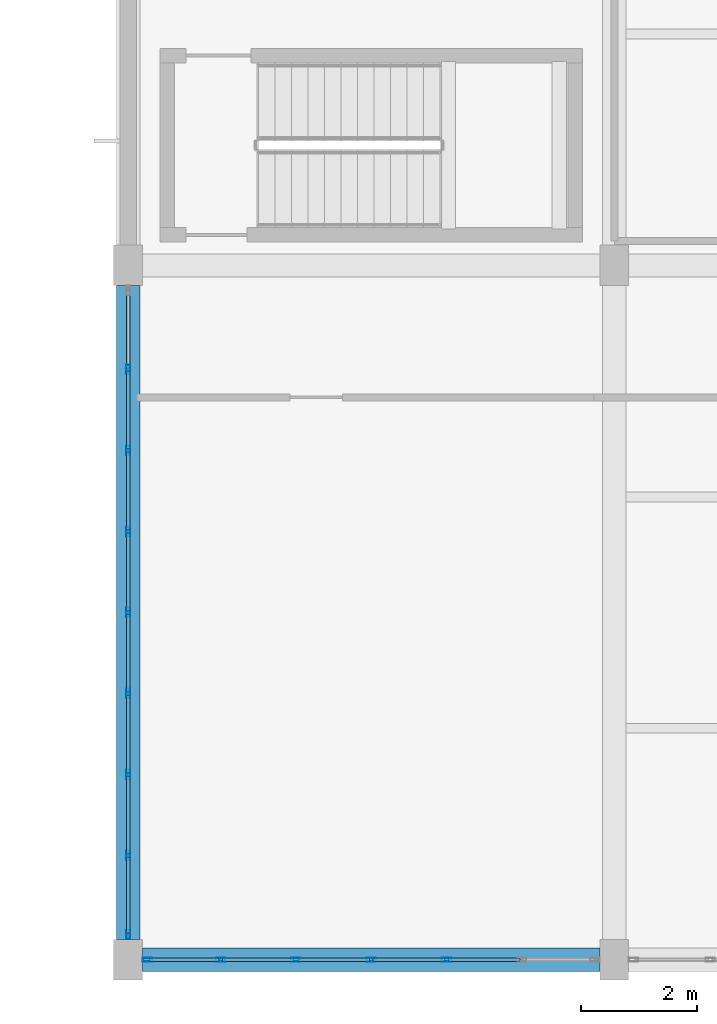
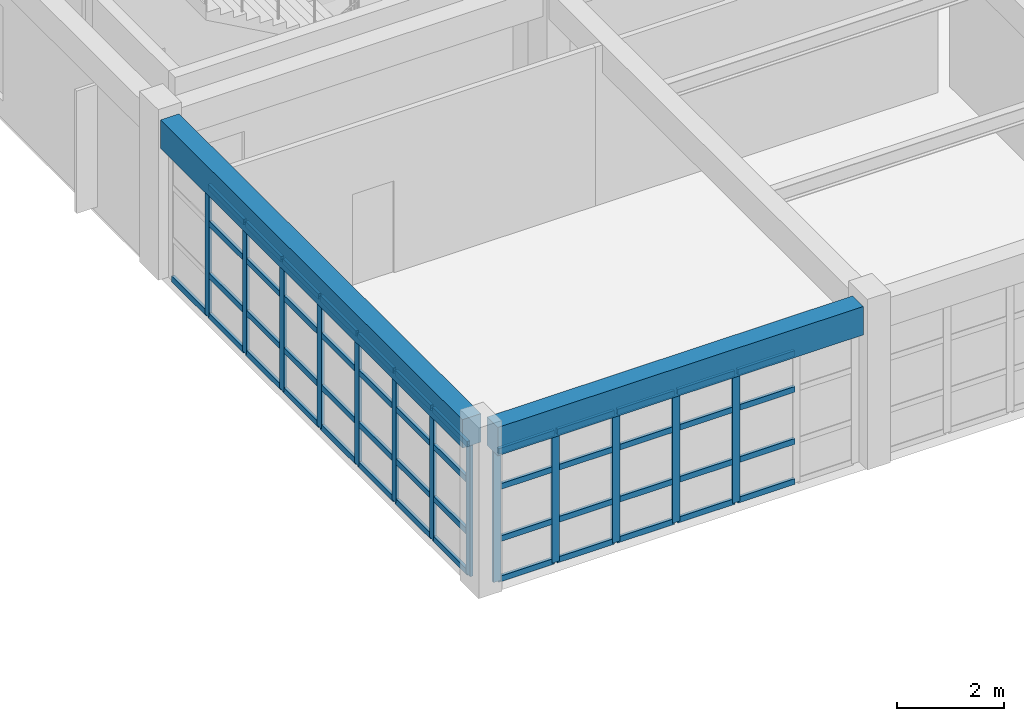
# One storey, part 7 of 150: 62 members, 2 beams, 2 elements without a shape of their own.
"""IFC4 building model written with IfcOpenShell, lengths in metres."""

from ifc_helpers import new_model, si_unit, direction, frame, origin, origin_2d, place, context, subcontext, project, spatial, rectangle, hollow_rectangle, extrude, material, material_profile, profile_set, type_object, element, aggregate, save


model = new_model("IFC4")

# Units and contexts
model_context = context("Model", 3, precision=1e-05, world=origin(), true_north=direction((0.0, 1.0)))
body_context = subcontext(model_context, "Body", "Model", "MODEL_VIEW")
ifc_project = project(units=[si_unit("LENGTHUNIT", "METRE"), si_unit("AREAUNIT", "SQUARE_METRE"), si_unit("VOLUMEUNIT", "CUBIC_METRE"), si_unit("PLANEANGLEUNIT", "RADIAN"), si_unit("MASSUNIT", "GRAM", prefix="KILO")], contexts=[model_context])

# Site, building, storey
site_placement = place(None, origin())
site = spatial("IfcSite", under=ifc_project, at=site_placement, CompositionType="ELEMENT")
building_placement = place(site_placement, origin())
building = spatial("IfcBuilding", under=site, at=building_placement, Name="Kestramere Prow Commons", CompositionType="ELEMENT")
storey_placement = place(building_placement, frame((0.0, 0.0, 4.5)))
storey = spatial("IfcBuildingStorey", under=building, at=storey_placement, Name="L01", CompositionType="ELEMENT", Elevation=4.5)

# Beams
ifc_material_1 = material(Name="Precast concrete C40/50", Category="concrete")
ifc_material_profile_1 = material_profile(ifc_material_1, rectangle(XDim=0.39990234375, YDim=0.64990234375, at=origin_2d()), Name="PC-BM 400x650")
ifc_profile_set_1 = profile_set([ifc_material_profile_1], Name="Precast concrete C40/50")
beam_type = type_object("IfcBeamType", Name="BM-MK-01 PC-BM 400x650 (EX)", PredefinedType="BEAM", material=ifc_profile_set_1)
beam_1_placement = place(storey_placement, frame((60.25, 0.0, 3.324951171875), z_axis=(1.0, 0.0, 0.0), x_axis=(0.0, 1.0, 0.0)))
element("IfcBeam", 1, at=beam_1_placement, inside=storey, type_object=beam_type, Name="Market Spine L01 Beam X 1-1", PredefinedType="BEAM", context=body_context, shape_type="SweptSolid", body=[
    extrude(rectangle(XDim=0.39990234375, YDim=0.64990234375, at=origin_2d()), origin(), (0.0, 0.0, 1.0), 7.89990234375),
])
beam_2_placement = place(storey_placement, frame((60.0, 0.35009765625, 3.324951171875), z_axis=(0.0, 1.0, 0.0), x_axis=(-1.0, 0.0, 0.0)))
element("IfcBeam", 2, at=beam_2_placement, inside=storey, type_object=beam_type, Name="Market Spine L01 Beam Y 1-1", PredefinedType="BEAM", context=body_context, shape_type="SweptSolid", body=[
    extrude(rectangle(XDim=0.39990234375, YDim=0.64990234375, at=origin_2d()), origin(), (0.0, 0.0, 1.0), 11.2998046875),
])

# Curtain wall, members
ifc_material_2 = material(Name="Anodised Aluminium and Low-E Glass", Category="aluminium")
curtain_wall_type_1 = type_object("IfcCurtainWallType", Name="CW-23 Glazed Curtain Wall 7800x2990", PredefinedType="USERDEFINED", material=ifc_material_2)
curtain_wall_1_placement = place(storey_placement, origin())
curtain_wall_1 = element("IfcCurtainWall", 3, at=curtain_wall_1_placement, inside=storey, type_object=curtain_wall_type_1, Name="Market L01 South Shopfront 1", ObjectType="GLAZED CURTAIN WALL", PredefinedType="USERDEFINED")
ifc_material_3 = material(Name="Anodised Aluminium 6063-T6", Category="aluminium")
ifc_material_profile_2 = material_profile(ifc_material_3, hollow_rectangle(XDim=0.06494140625, YDim=0.159912109375, WallThickness=0.00390625, at=origin_2d()), Name="ALU-MUL 65x160")
ifc_profile_set_2 = profile_set([ifc_material_profile_2], Name="Anodised Aluminium 6063-T6")
member_type_1 = type_object("IfcMemberType", Name="CW-MUL-65x160", PredefinedType="MULLION", material=ifc_profile_set_2)
member_1_placement = place(storey_placement, frame((65.5, 0.0, 0.0), z_axis=(0.0, 0.0, 1.0), x_axis=(0.0, -1.0, 0.0)))
member_1 = element("IfcMember", 4, at=member_1_placement, type_object=member_type_1, Name="CW-23 mullion 3", PredefinedType="MULLION", context=body_context, shape_type="SweptSolid", body=[
    extrude(hollow_rectangle(XDim=0.06494140625, YDim=0.159912109375, WallThickness=0.00390625, at=origin_2d()), origin(), (0.0, 0.0, 1.0), 2.989990234375),
])
member_2_placement = place(storey_placement, frame((64.199951171875, 0.0, 0.0), z_axis=(0.0, 0.0, 1.0), x_axis=(0.0, -1.0, 0.0)))
member_2 = element("IfcMember", 5, at=member_2_placement, type_object=member_type_1, Name="CW-23 mullion 4", PredefinedType="MULLION", context=body_context, shape_type="SweptSolid", body=[
    extrude(hollow_rectangle(XDim=0.06494140625, YDim=0.159912109375, WallThickness=0.00390625, at=origin_2d()), origin(), (0.0, 0.0, 1.0), 2.989990234375),
])
member_3_placement = place(storey_placement, frame((62.89990234375, 0.0, 0.0), z_axis=(0.0, 0.0, 1.0), x_axis=(0.0, -1.0, 0.0)))
member_3 = element("IfcMember", 6, at=member_3_placement, type_object=member_type_1, Name="CW-23 mullion 5", PredefinedType="MULLION", context=body_context, shape_type="SweptSolid", body=[
    extrude(hollow_rectangle(XDim=0.06494140625, YDim=0.159912109375, WallThickness=0.00390625, at=origin_2d()), origin(), (0.0, 0.0, 1.0), 2.989990234375),
])
member_4_placement = place(storey_placement, frame((61.60009765625, 0.0, 0.0), z_axis=(0.0, 0.0, 1.0), x_axis=(0.0, -1.0, 0.0)))
member_4 = element("IfcMember", 7, at=member_4_placement, type_object=member_type_1, Name="CW-23 mullion 6", PredefinedType="MULLION", context=body_context, shape_type="SweptSolid", body=[
    extrude(hollow_rectangle(XDim=0.06494140625, YDim=0.159912109375, WallThickness=0.00390625, at=origin_2d()), origin(), (0.0, 0.0, 1.0), 2.989990234375),
])
member_5_placement = place(storey_placement, frame((60.33251953125, 0.0, 0.0), z_axis=(0.0, 0.0, 1.0), x_axis=(0.0, -1.0, 0.0)))
member_5 = element("IfcMember", 8, at=member_5_placement, type_object=member_type_1, Name="CW-23 mullion 7", PredefinedType="MULLION", context=body_context, shape_type="SweptSolid", body=[
    extrude(hollow_rectangle(XDim=0.06494140625, YDim=0.159912109375, WallThickness=0.00390625, at=origin_2d()), origin(), (0.0, 0.0, 1.0), 2.989990234375),
])

curtain_wall_type_2 = type_object("IfcCurtainWallType", Name="CW-27 Glazed Curtain Wall 11200x2990", PredefinedType="USERDEFINED", material=ifc_material_2)
curtain_wall_2_placement = place(storey_placement, origin())
curtain_wall_2 = element("IfcCurtainWall", 9, at=curtain_wall_2_placement, inside=storey, type_object=curtain_wall_type_2, Name="Market L01 W Glazing", ObjectType="GLAZED CURTAIN WALL", PredefinedType="USERDEFINED")
member_6_placement = place(storey_placement, frame((60.0, 0.4326171875, 0.0), z_axis=(0.0, 0.0, 1.0), x_axis=(-1.0, 0.0, 0.0)))
member_6 = element("IfcMember", 10, at=member_6_placement, type_object=member_type_1, Name="CW-27 mullion 1", PredefinedType="MULLION", context=body_context, shape_type="SweptSolid", body=[
    extrude(hollow_rectangle(XDim=0.06494140625, YDim=0.159912109375, WallThickness=0.00390625, at=origin_2d()), origin(), (0.0, 0.0, 1.0), 2.989990234375),
])
member_7_placement = place(storey_placement, frame((60.0, 1.800048828125, 0.0), z_axis=(0.0, 0.0, 1.0), x_axis=(-1.0, 0.0, 0.0)))
member_7 = element("IfcMember", 11, at=member_7_placement, type_object=member_type_1, Name="CW-27 mullion 2", PredefinedType="MULLION", context=body_context, shape_type="SweptSolid", body=[
    extrude(hollow_rectangle(XDim=0.06494140625, YDim=0.159912109375, WallThickness=0.00390625, at=origin_2d()), origin(), (0.0, 0.0, 1.0), 2.989990234375),
])
member_8_placement = place(storey_placement, frame((60.0, 3.199951171875, 0.0), z_axis=(0.0, 0.0, 1.0), x_axis=(-1.0, 0.0, 0.0)))
member_8 = element("IfcMember", 12, at=member_8_placement, type_object=member_type_1, Name="CW-27 mullion 3", PredefinedType="MULLION", context=body_context, shape_type="SweptSolid", body=[
    extrude(hollow_rectangle(XDim=0.06494140625, YDim=0.159912109375, WallThickness=0.00390625, at=origin_2d()), origin(), (0.0, 0.0, 1.0), 2.989990234375),
])
member_9_placement = place(storey_placement, frame((60.0, 4.60009765625, 0.0), z_axis=(0.0, 0.0, 1.0), x_axis=(-1.0, 0.0, 0.0)))
member_9 = element("IfcMember", 13, at=member_9_placement, type_object=member_type_1, Name="CW-27 mullion 4", PredefinedType="MULLION", context=body_context, shape_type="SweptSolid", body=[
    extrude(hollow_rectangle(XDim=0.06494140625, YDim=0.159912109375, WallThickness=0.00390625, at=origin_2d()), origin(), (0.0, 0.0, 1.0), 2.989990234375),
])
member_10_placement = place(storey_placement, frame((60.0, 6.0, 0.0), z_axis=(0.0, 0.0, 1.0), x_axis=(-1.0, 0.0, 0.0)))
member_10 = element("IfcMember", 14, at=member_10_placement, type_object=member_type_1, Name="CW-27 mullion 5", PredefinedType="MULLION", context=body_context, shape_type="SweptSolid", body=[
    extrude(hollow_rectangle(XDim=0.06494140625, YDim=0.159912109375, WallThickness=0.00390625, at=origin_2d()), origin(), (0.0, 0.0, 1.0), 2.989990234375),
])
member_11_placement = place(storey_placement, frame((60.0, 7.39990234375, 0.0), z_axis=(0.0, 0.0, 1.0), x_axis=(-1.0, 0.0, 0.0)))
member_11 = element("IfcMember", 15, at=member_11_placement, type_object=member_type_1, Name="CW-27 mullion 6", PredefinedType="MULLION", context=body_context, shape_type="SweptSolid", body=[
    extrude(hollow_rectangle(XDim=0.06494140625, YDim=0.159912109375, WallThickness=0.00390625, at=origin_2d()), origin(), (0.0, 0.0, 1.0), 2.989990234375),
])
member_12_placement = place(storey_placement, frame((60.0, 8.800048828125, 0.0), z_axis=(0.0, 0.0, 1.0), x_axis=(-1.0, 0.0, 0.0)))
member_12 = element("IfcMember", 16, at=member_12_placement, type_object=member_type_1, Name="CW-27 mullion 7", PredefinedType="MULLION", context=body_context, shape_type="SweptSolid", body=[
    extrude(hollow_rectangle(XDim=0.06494140625, YDim=0.159912109375, WallThickness=0.00390625, at=origin_2d()), origin(), (0.0, 0.0, 1.0), 2.989990234375),
])
member_13_placement = place(storey_placement, frame((60.0, 10.199951171875, 0.0), z_axis=(0.0, 0.0, 1.0), x_axis=(-1.0, 0.0, 0.0)))
member_13 = element("IfcMember", 17, at=member_13_placement, type_object=member_type_1, Name="CW-27 mullion 8", PredefinedType="MULLION", context=body_context, shape_type="SweptSolid", body=[
    extrude(hollow_rectangle(XDim=0.06494140625, YDim=0.159912109375, WallThickness=0.00390625, at=origin_2d()), origin(), (0.0, 0.0, 1.0), 2.989990234375),
])

# Member
ifc_material_profile_3 = material_profile(ifc_material_3, hollow_rectangle(XDim=0.06494140625, YDim=0.1298828125, WallThickness=0.00390625, at=origin_2d()), Name="ALU-TRN 65x130")
ifc_profile_set_3 = profile_set([ifc_material_profile_3], Name="Anodised Aluminium 6063-T6")
member_type_2 = type_object("IfcMemberType", Name="CW-TRN-65x130", PredefinedType="USERDEFINED", material=ifc_profile_set_3)
member_14_placement = place(storey_placement, frame((66.767578125, 0.0, 0.032470703125), z_axis=(-1.0, 0.0, 0.0), x_axis=(0.0, -1.0, 0.0)))
member_14 = element("IfcMember", 18, at=member_14_placement, type_object=member_type_2, Name="CW-23 transom 2.1", ObjectType="TRANSOM", PredefinedType="USERDEFINED", context=body_context, shape_type="SweptSolid", body=[
    extrude(hollow_rectangle(XDim=0.06494140625, YDim=0.1298828125, WallThickness=0.00390625, at=origin_2d()), origin(), (0.0, 0.0, 1.0), 1.235107421875),
])

member_15_placement = place(storey_placement, frame((66.767578125, 0.0, 0.949951171875), z_axis=(-1.0, 0.0, 0.0), x_axis=(0.0, -1.0, 0.0)))
member_15 = element("IfcMember", 19, at=member_15_placement, type_object=member_type_2, Name="CW-23 transom 2.2", ObjectType="TRANSOM", PredefinedType="USERDEFINED", context=body_context, shape_type="SweptSolid", body=[
    extrude(hollow_rectangle(XDim=0.06494140625, YDim=0.1298828125, WallThickness=0.00390625, at=origin_2d()), origin(), (0.0, 0.0, 1.0), 1.235107421875),
])

member_16_placement = place(storey_placement, frame((66.767578125, 0.0, 2.139892578125), z_axis=(-1.0, 0.0, 0.0), x_axis=(0.0, -1.0, 0.0)))
member_16 = element("IfcMember", 20, at=member_16_placement, type_object=member_type_2, Name="CW-23 transom 2.3", ObjectType="TRANSOM", PredefinedType="USERDEFINED", context=body_context, shape_type="SweptSolid", body=[
    extrude(hollow_rectangle(XDim=0.06494140625, YDim=0.1298828125, WallThickness=0.00390625, at=origin_2d()), origin(), (0.0, 0.0, 1.0), 1.235107421875),
])

member_17_placement = place(storey_placement, frame((66.767578125, 0.0, 2.95751953125), z_axis=(-1.0, 0.0, 0.0), x_axis=(0.0, -1.0, 0.0)))
member_17 = element("IfcMember", 21, at=member_17_placement, type_object=member_type_2, Name="CW-23 transom 2.4", ObjectType="TRANSOM", PredefinedType="USERDEFINED", context=body_context, shape_type="SweptSolid", body=[
    extrude(hollow_rectangle(XDim=0.06494140625, YDim=0.1298828125, WallThickness=0.00390625, at=origin_2d()), origin(), (0.0, 0.0, 1.0), 1.235107421875),
])

member_18_placement = place(storey_placement, frame((65.467529296875, 0.0, 0.032470703125), z_axis=(-1.0, 0.0, 0.0), x_axis=(0.0, -1.0, 0.0)))
member_18 = element("IfcMember", 22, at=member_18_placement, type_object=member_type_2, Name="CW-23 transom 3.1", ObjectType="TRANSOM", PredefinedType="USERDEFINED", context=body_context, shape_type="SweptSolid", body=[
    extrude(hollow_rectangle(XDim=0.06494140625, YDim=0.1298828125, WallThickness=0.00390625, at=origin_2d()), origin(), (0.0, 0.0, 1.0), 1.235107421875),
])

member_19_placement = place(storey_placement, frame((65.467529296875, 0.0, 0.949951171875), z_axis=(-1.0, 0.0, 0.0), x_axis=(0.0, -1.0, 0.0)))
member_19 = element("IfcMember", 23, at=member_19_placement, type_object=member_type_2, Name="CW-23 transom 3.2", ObjectType="TRANSOM", PredefinedType="USERDEFINED", context=body_context, shape_type="SweptSolid", body=[
    extrude(hollow_rectangle(XDim=0.06494140625, YDim=0.1298828125, WallThickness=0.00390625, at=origin_2d()), origin(), (0.0, 0.0, 1.0), 1.235107421875),
])

member_20_placement = place(storey_placement, frame((65.467529296875, 0.0, 2.139892578125), z_axis=(-1.0, 0.0, 0.0), x_axis=(0.0, -1.0, 0.0)))
member_20 = element("IfcMember", 24, at=member_20_placement, type_object=member_type_2, Name="CW-23 transom 3.3", ObjectType="TRANSOM", PredefinedType="USERDEFINED", context=body_context, shape_type="SweptSolid", body=[
    extrude(hollow_rectangle(XDim=0.06494140625, YDim=0.1298828125, WallThickness=0.00390625, at=origin_2d()), origin(), (0.0, 0.0, 1.0), 1.235107421875),
])

member_21_placement = place(storey_placement, frame((65.467529296875, 0.0, 2.95751953125), z_axis=(-1.0, 0.0, 0.0), x_axis=(0.0, -1.0, 0.0)))
member_21 = element("IfcMember", 25, at=member_21_placement, type_object=member_type_2, Name="CW-23 transom 3.4", ObjectType="TRANSOM", PredefinedType="USERDEFINED", context=body_context, shape_type="SweptSolid", body=[
    extrude(hollow_rectangle(XDim=0.06494140625, YDim=0.1298828125, WallThickness=0.00390625, at=origin_2d()), origin(), (0.0, 0.0, 1.0), 1.235107421875),
])

member_22_placement = place(storey_placement, frame((64.16748046875, 0.0, 0.032470703125), z_axis=(-1.0, 0.0, 0.0), x_axis=(0.0, -1.0, 0.0)))
member_22 = element("IfcMember", 26, at=member_22_placement, type_object=member_type_2, Name="CW-23 transom 4.1", ObjectType="TRANSOM", PredefinedType="USERDEFINED", context=body_context, shape_type="SweptSolid", body=[
    extrude(hollow_rectangle(XDim=0.06494140625, YDim=0.1298828125, WallThickness=0.00390625, at=origin_2d()), origin(), (0.0, 0.0, 1.0), 1.23486328125),
])

member_23_placement = place(storey_placement, frame((64.16748046875, 0.0, 0.949951171875), z_axis=(-1.0, 0.0, 0.0), x_axis=(0.0, -1.0, 0.0)))
member_23 = element("IfcMember", 27, at=member_23_placement, type_object=member_type_2, Name="CW-23 transom 4.2", ObjectType="TRANSOM", PredefinedType="USERDEFINED", context=body_context, shape_type="SweptSolid", body=[
    extrude(hollow_rectangle(XDim=0.06494140625, YDim=0.1298828125, WallThickness=0.00390625, at=origin_2d()), origin(), (0.0, 0.0, 1.0), 1.23486328125),
])

member_24_placement = place(storey_placement, frame((64.16748046875, 0.0, 2.139892578125), z_axis=(-1.0, 0.0, 0.0), x_axis=(0.0, -1.0, 0.0)))
member_24 = element("IfcMember", 28, at=member_24_placement, type_object=member_type_2, Name="CW-23 transom 4.3", ObjectType="TRANSOM", PredefinedType="USERDEFINED", context=body_context, shape_type="SweptSolid", body=[
    extrude(hollow_rectangle(XDim=0.06494140625, YDim=0.1298828125, WallThickness=0.00390625, at=origin_2d()), origin(), (0.0, 0.0, 1.0), 1.23486328125),
])

member_25_placement = place(storey_placement, frame((64.16748046875, 0.0, 2.95751953125), z_axis=(-1.0, 0.0, 0.0), x_axis=(0.0, -1.0, 0.0)))
member_25 = element("IfcMember", 29, at=member_25_placement, type_object=member_type_2, Name="CW-23 transom 4.4", ObjectType="TRANSOM", PredefinedType="USERDEFINED", context=body_context, shape_type="SweptSolid", body=[
    extrude(hollow_rectangle(XDim=0.06494140625, YDim=0.1298828125, WallThickness=0.00390625, at=origin_2d()), origin(), (0.0, 0.0, 1.0), 1.23486328125),
])

member_26_placement = place(storey_placement, frame((62.867431640625, 0.0, 0.032470703125), z_axis=(-1.0, 0.0, 0.0), x_axis=(0.0, -1.0, 0.0)))
member_26 = element("IfcMember", 30, at=member_26_placement, type_object=member_type_2, Name="CW-23 transom 5.1", ObjectType="TRANSOM", PredefinedType="USERDEFINED", context=body_context, shape_type="SweptSolid", body=[
    extrude(hollow_rectangle(XDim=0.06494140625, YDim=0.1298828125, WallThickness=0.00390625, at=origin_2d()), origin(), (0.0, 0.0, 1.0), 1.23486328125),
])

member_27_placement = place(storey_placement, frame((62.867431640625, 0.0, 0.949951171875), z_axis=(-1.0, 0.0, 0.0), x_axis=(0.0, -1.0, 0.0)))
member_27 = element("IfcMember", 31, at=member_27_placement, type_object=member_type_2, Name="CW-23 transom 5.2", ObjectType="TRANSOM", PredefinedType="USERDEFINED", context=body_context, shape_type="SweptSolid", body=[
    extrude(hollow_rectangle(XDim=0.06494140625, YDim=0.1298828125, WallThickness=0.00390625, at=origin_2d()), origin(), (0.0, 0.0, 1.0), 1.23486328125),
])

member_28_placement = place(storey_placement, frame((62.867431640625, 0.0, 2.139892578125), z_axis=(-1.0, 0.0, 0.0), x_axis=(0.0, -1.0, 0.0)))
member_28 = element("IfcMember", 32, at=member_28_placement, type_object=member_type_2, Name="CW-23 transom 5.3", ObjectType="TRANSOM", PredefinedType="USERDEFINED", context=body_context, shape_type="SweptSolid", body=[
    extrude(hollow_rectangle(XDim=0.06494140625, YDim=0.1298828125, WallThickness=0.00390625, at=origin_2d()), origin(), (0.0, 0.0, 1.0), 1.23486328125),
])

member_29_placement = place(storey_placement, frame((62.867431640625, 0.0, 2.95751953125), z_axis=(-1.0, 0.0, 0.0), x_axis=(0.0, -1.0, 0.0)))
member_29 = element("IfcMember", 33, at=member_29_placement, type_object=member_type_2, Name="CW-23 transom 5.4", ObjectType="TRANSOM", PredefinedType="USERDEFINED", context=body_context, shape_type="SweptSolid", body=[
    extrude(hollow_rectangle(XDim=0.06494140625, YDim=0.1298828125, WallThickness=0.00390625, at=origin_2d()), origin(), (0.0, 0.0, 1.0), 1.23486328125),
])

member_30_placement = place(storey_placement, frame((61.5673828125, 0.0, 0.032470703125), z_axis=(-1.0, 0.0, 0.0), x_axis=(0.0, -1.0, 0.0)))
member_30 = element("IfcMember", 34, at=member_30_placement, type_object=member_type_2, Name="CW-23 transom 6.1", ObjectType="TRANSOM", PredefinedType="USERDEFINED", context=body_context, shape_type="SweptSolid", body=[
    extrude(hollow_rectangle(XDim=0.06494140625, YDim=0.1298828125, WallThickness=0.00390625, at=origin_2d()), origin(), (0.0, 0.0, 1.0), 1.202392578125),
])

member_31_placement = place(storey_placement, frame((61.5673828125, 0.0, 0.949951171875), z_axis=(-1.0, 0.0, 0.0), x_axis=(0.0, -1.0, 0.0)))
member_31 = element("IfcMember", 35, at=member_31_placement, type_object=member_type_2, Name="CW-23 transom 6.2", ObjectType="TRANSOM", PredefinedType="USERDEFINED", context=body_context, shape_type="SweptSolid", body=[
    extrude(hollow_rectangle(XDim=0.06494140625, YDim=0.1298828125, WallThickness=0.00390625, at=origin_2d()), origin(), (0.0, 0.0, 1.0), 1.202392578125),
])

member_32_placement = place(storey_placement, frame((61.5673828125, 0.0, 2.139892578125), z_axis=(-1.0, 0.0, 0.0), x_axis=(0.0, -1.0, 0.0)))
member_32 = element("IfcMember", 36, at=member_32_placement, type_object=member_type_2, Name="CW-23 transom 6.3", ObjectType="TRANSOM", PredefinedType="USERDEFINED", context=body_context, shape_type="SweptSolid", body=[
    extrude(hollow_rectangle(XDim=0.06494140625, YDim=0.1298828125, WallThickness=0.00390625, at=origin_2d()), origin(), (0.0, 0.0, 1.0), 1.202392578125),
])

member_33_placement = place(storey_placement, frame((61.5673828125, 0.0, 2.95751953125), z_axis=(-1.0, 0.0, 0.0), x_axis=(0.0, -1.0, 0.0)))
member_33 = element("IfcMember", 37, at=member_33_placement, type_object=member_type_2, Name="CW-23 transom 6.4", ObjectType="TRANSOM", PredefinedType="USERDEFINED", context=body_context, shape_type="SweptSolid", body=[
    extrude(hollow_rectangle(XDim=0.06494140625, YDim=0.1298828125, WallThickness=0.00390625, at=origin_2d()), origin(), (0.0, 0.0, 1.0), 1.202392578125),
])

aggregate(curtain_wall_1, [member_1, member_2, member_3, member_4, member_5, member_14, member_15, member_16, member_17, member_18, member_19, member_20, member_21, member_22, member_23, member_24, member_25, member_26, member_27, member_28, member_29, member_30, member_31, member_32, member_33])

member_34_placement = place(storey_placement, frame((60.0, 0.465087890625, 0.032470703125), z_axis=(0.0, 1.0, 0.0), x_axis=(-1.0, 0.0, 0.0)))
member_34 = element("IfcMember", 38, at=member_34_placement, type_object=member_type_2, Name="CW-27 transom 1.1", ObjectType="TRANSOM", PredefinedType="USERDEFINED", context=body_context, shape_type="SweptSolid", body=[
    extrude(hollow_rectangle(XDim=0.06494140625, YDim=0.1298828125, WallThickness=0.00390625, at=origin_2d()), origin(), (0.0, 0.0, 1.0), 1.302490234375),
])

member_35_placement = place(storey_placement, frame((60.0, 0.465087890625, 0.949951171875), z_axis=(0.0, 1.0, 0.0), x_axis=(-1.0, 0.0, 0.0)))
member_35 = element("IfcMember", 39, at=member_35_placement, type_object=member_type_2, Name="CW-27 transom 1.2", ObjectType="TRANSOM", PredefinedType="USERDEFINED", context=body_context, shape_type="SweptSolid", body=[
    extrude(hollow_rectangle(XDim=0.06494140625, YDim=0.1298828125, WallThickness=0.00390625, at=origin_2d()), origin(), (0.0, 0.0, 1.0), 1.302490234375),
])

member_36_placement = place(storey_placement, frame((60.0, 0.465087890625, 2.139892578125), z_axis=(0.0, 1.0, 0.0), x_axis=(-1.0, 0.0, 0.0)))
member_36 = element("IfcMember", 40, at=member_36_placement, type_object=member_type_2, Name="CW-27 transom 1.3", ObjectType="TRANSOM", PredefinedType="USERDEFINED", context=body_context, shape_type="SweptSolid", body=[
    extrude(hollow_rectangle(XDim=0.06494140625, YDim=0.1298828125, WallThickness=0.00390625, at=origin_2d()), origin(), (0.0, 0.0, 1.0), 1.302490234375),
])

member_37_placement = place(storey_placement, frame((60.0, 0.465087890625, 2.95751953125), z_axis=(0.0, 1.0, 0.0), x_axis=(-1.0, 0.0, 0.0)))
member_37 = element("IfcMember", 41, at=member_37_placement, type_object=member_type_2, Name="CW-27 transom 1.4", ObjectType="TRANSOM", PredefinedType="USERDEFINED", context=body_context, shape_type="SweptSolid", body=[
    extrude(hollow_rectangle(XDim=0.06494140625, YDim=0.1298828125, WallThickness=0.00390625, at=origin_2d()), origin(), (0.0, 0.0, 1.0), 1.302490234375),
])

member_38_placement = place(storey_placement, frame((60.0, 1.83251953125, 0.032470703125), z_axis=(0.0, 1.0, 0.0), x_axis=(-1.0, 0.0, 0.0)))
member_38 = element("IfcMember", 42, at=member_38_placement, type_object=member_type_2, Name="CW-27 transom 2.1", ObjectType="TRANSOM", PredefinedType="USERDEFINED", context=body_context, shape_type="SweptSolid", body=[
    extrude(hollow_rectangle(XDim=0.06494140625, YDim=0.1298828125, WallThickness=0.00390625, at=origin_2d()), origin(), (0.0, 0.0, 1.0), 1.3349609375),
])

member_39_placement = place(storey_placement, frame((60.0, 1.83251953125, 0.949951171875), z_axis=(0.0, 1.0, 0.0), x_axis=(-1.0, 0.0, 0.0)))
member_39 = element("IfcMember", 43, at=member_39_placement, type_object=member_type_2, Name="CW-27 transom 2.2", ObjectType="TRANSOM", PredefinedType="USERDEFINED", context=body_context, shape_type="SweptSolid", body=[
    extrude(hollow_rectangle(XDim=0.06494140625, YDim=0.1298828125, WallThickness=0.00390625, at=origin_2d()), origin(), (0.0, 0.0, 1.0), 1.3349609375),
])

member_40_placement = place(storey_placement, frame((60.0, 1.83251953125, 2.139892578125), z_axis=(0.0, 1.0, 0.0), x_axis=(-1.0, 0.0, 0.0)))
member_40 = element("IfcMember", 44, at=member_40_placement, type_object=member_type_2, Name="CW-27 transom 2.3", ObjectType="TRANSOM", PredefinedType="USERDEFINED", context=body_context, shape_type="SweptSolid", body=[
    extrude(hollow_rectangle(XDim=0.06494140625, YDim=0.1298828125, WallThickness=0.00390625, at=origin_2d()), origin(), (0.0, 0.0, 1.0), 1.3349609375),
])

member_41_placement = place(storey_placement, frame((60.0, 1.83251953125, 2.95751953125), z_axis=(0.0, 1.0, 0.0), x_axis=(-1.0, 0.0, 0.0)))
member_41 = element("IfcMember", 45, at=member_41_placement, type_object=member_type_2, Name="CW-27 transom 2.4", ObjectType="TRANSOM", PredefinedType="USERDEFINED", context=body_context, shape_type="SweptSolid", body=[
    extrude(hollow_rectangle(XDim=0.06494140625, YDim=0.1298828125, WallThickness=0.00390625, at=origin_2d()), origin(), (0.0, 0.0, 1.0), 1.3349609375),
])

member_42_placement = place(storey_placement, frame((60.0, 3.232421875, 0.032470703125), z_axis=(0.0, 1.0, 0.0), x_axis=(-1.0, 0.0, 0.0)))
member_42 = element("IfcMember", 46, at=member_42_placement, type_object=member_type_2, Name="CW-27 transom 3.1", ObjectType="TRANSOM", PredefinedType="USERDEFINED", context=body_context, shape_type="SweptSolid", body=[
    extrude(hollow_rectangle(XDim=0.06494140625, YDim=0.1298828125, WallThickness=0.00390625, at=origin_2d()), origin(), (0.0, 0.0, 1.0), 1.3349609375),
])

member_43_placement = place(storey_placement, frame((60.0, 3.232421875, 0.949951171875), z_axis=(0.0, 1.0, 0.0), x_axis=(-1.0, 0.0, 0.0)))
member_43 = element("IfcMember", 47, at=member_43_placement, type_object=member_type_2, Name="CW-27 transom 3.2", ObjectType="TRANSOM", PredefinedType="USERDEFINED", context=body_context, shape_type="SweptSolid", body=[
    extrude(hollow_rectangle(XDim=0.06494140625, YDim=0.1298828125, WallThickness=0.00390625, at=origin_2d()), origin(), (0.0, 0.0, 1.0), 1.3349609375),
])

member_44_placement = place(storey_placement, frame((60.0, 3.232421875, 2.139892578125), z_axis=(0.0, 1.0, 0.0), x_axis=(-1.0, 0.0, 0.0)))
member_44 = element("IfcMember", 48, at=member_44_placement, type_object=member_type_2, Name="CW-27 transom 3.3", ObjectType="TRANSOM", PredefinedType="USERDEFINED", context=body_context, shape_type="SweptSolid", body=[
    extrude(hollow_rectangle(XDim=0.06494140625, YDim=0.1298828125, WallThickness=0.00390625, at=origin_2d()), origin(), (0.0, 0.0, 1.0), 1.3349609375),
])

member_45_placement = place(storey_placement, frame((60.0, 3.232421875, 2.95751953125), z_axis=(0.0, 1.0, 0.0), x_axis=(-1.0, 0.0, 0.0)))
member_45 = element("IfcMember", 49, at=member_45_placement, type_object=member_type_2, Name="CW-27 transom 3.4", ObjectType="TRANSOM", PredefinedType="USERDEFINED", context=body_context, shape_type="SweptSolid", body=[
    extrude(hollow_rectangle(XDim=0.06494140625, YDim=0.1298828125, WallThickness=0.00390625, at=origin_2d()), origin(), (0.0, 0.0, 1.0), 1.3349609375),
])

member_46_placement = place(storey_placement, frame((60.0, 4.632568359375, 0.032470703125), z_axis=(0.0, 1.0, 0.0), x_axis=(-1.0, 0.0, 0.0)))
member_46 = element("IfcMember", 50, at=member_46_placement, type_object=member_type_2, Name="CW-27 transom 4.1", ObjectType="TRANSOM", PredefinedType="USERDEFINED", context=body_context, shape_type="SweptSolid", body=[
    extrude(hollow_rectangle(XDim=0.06494140625, YDim=0.1298828125, WallThickness=0.00390625, at=origin_2d()), origin(), (0.0, 0.0, 1.0), 1.3349609375),
])

member_47_placement = place(storey_placement, frame((60.0, 4.632568359375, 0.949951171875), z_axis=(0.0, 1.0, 0.0), x_axis=(-1.0, 0.0, 0.0)))
member_47 = element("IfcMember", 51, at=member_47_placement, type_object=member_type_2, Name="CW-27 transom 4.2", ObjectType="TRANSOM", PredefinedType="USERDEFINED", context=body_context, shape_type="SweptSolid", body=[
    extrude(hollow_rectangle(XDim=0.06494140625, YDim=0.1298828125, WallThickness=0.00390625, at=origin_2d()), origin(), (0.0, 0.0, 1.0), 1.3349609375),
])

member_48_placement = place(storey_placement, frame((60.0, 4.632568359375, 2.139892578125), z_axis=(0.0, 1.0, 0.0), x_axis=(-1.0, 0.0, 0.0)))
member_48 = element("IfcMember", 52, at=member_48_placement, type_object=member_type_2, Name="CW-27 transom 4.3", ObjectType="TRANSOM", PredefinedType="USERDEFINED", context=body_context, shape_type="SweptSolid", body=[
    extrude(hollow_rectangle(XDim=0.06494140625, YDim=0.1298828125, WallThickness=0.00390625, at=origin_2d()), origin(), (0.0, 0.0, 1.0), 1.3349609375),
])

member_49_placement = place(storey_placement, frame((60.0, 4.632568359375, 2.95751953125), z_axis=(0.0, 1.0, 0.0), x_axis=(-1.0, 0.0, 0.0)))
member_49 = element("IfcMember", 53, at=member_49_placement, type_object=member_type_2, Name="CW-27 transom 4.4", ObjectType="TRANSOM", PredefinedType="USERDEFINED", context=body_context, shape_type="SweptSolid", body=[
    extrude(hollow_rectangle(XDim=0.06494140625, YDim=0.1298828125, WallThickness=0.00390625, at=origin_2d()), origin(), (0.0, 0.0, 1.0), 1.3349609375),
])

member_50_placement = place(storey_placement, frame((60.0, 6.032470703125, 0.032470703125), z_axis=(0.0, 1.0, 0.0), x_axis=(-1.0, 0.0, 0.0)))
member_50 = element("IfcMember", 54, at=member_50_placement, type_object=member_type_2, Name="CW-27 transom 5.1", ObjectType="TRANSOM", PredefinedType="USERDEFINED", context=body_context, shape_type="SweptSolid", body=[
    extrude(hollow_rectangle(XDim=0.06494140625, YDim=0.1298828125, WallThickness=0.00390625, at=origin_2d()), origin(), (0.0, 0.0, 1.0), 1.3349609375),
])

member_51_placement = place(storey_placement, frame((60.0, 6.032470703125, 0.949951171875), z_axis=(0.0, 1.0, 0.0), x_axis=(-1.0, 0.0, 0.0)))
member_51 = element("IfcMember", 55, at=member_51_placement, type_object=member_type_2, Name="CW-27 transom 5.2", ObjectType="TRANSOM", PredefinedType="USERDEFINED", context=body_context, shape_type="SweptSolid", body=[
    extrude(hollow_rectangle(XDim=0.06494140625, YDim=0.1298828125, WallThickness=0.00390625, at=origin_2d()), origin(), (0.0, 0.0, 1.0), 1.3349609375),
])

member_52_placement = place(storey_placement, frame((60.0, 6.032470703125, 2.139892578125), z_axis=(0.0, 1.0, 0.0), x_axis=(-1.0, 0.0, 0.0)))
member_52 = element("IfcMember", 56, at=member_52_placement, type_object=member_type_2, Name="CW-27 transom 5.3", ObjectType="TRANSOM", PredefinedType="USERDEFINED", context=body_context, shape_type="SweptSolid", body=[
    extrude(hollow_rectangle(XDim=0.06494140625, YDim=0.1298828125, WallThickness=0.00390625, at=origin_2d()), origin(), (0.0, 0.0, 1.0), 1.3349609375),
])

member_53_placement = place(storey_placement, frame((60.0, 6.032470703125, 2.95751953125), z_axis=(0.0, 1.0, 0.0), x_axis=(-1.0, 0.0, 0.0)))
member_53 = element("IfcMember", 57, at=member_53_placement, type_object=member_type_2, Name="CW-27 transom 5.4", ObjectType="TRANSOM", PredefinedType="USERDEFINED", context=body_context, shape_type="SweptSolid", body=[
    extrude(hollow_rectangle(XDim=0.06494140625, YDim=0.1298828125, WallThickness=0.00390625, at=origin_2d()), origin(), (0.0, 0.0, 1.0), 1.3349609375),
])

member_54_placement = place(storey_placement, frame((60.0, 7.4326171875, 0.032470703125), z_axis=(0.0, 1.0, 0.0), x_axis=(-1.0, 0.0, 0.0)))
member_54 = element("IfcMember", 58, at=member_54_placement, type_object=member_type_2, Name="CW-27 transom 6.1", ObjectType="TRANSOM", PredefinedType="USERDEFINED", context=body_context, shape_type="SweptSolid", body=[
    extrude(hollow_rectangle(XDim=0.06494140625, YDim=0.1298828125, WallThickness=0.00390625, at=origin_2d()), origin(), (0.0, 0.0, 1.0), 1.3349609375),
])

member_55_placement = place(storey_placement, frame((60.0, 7.4326171875, 0.949951171875), z_axis=(0.0, 1.0, 0.0), x_axis=(-1.0, 0.0, 0.0)))
member_55 = element("IfcMember", 59, at=member_55_placement, type_object=member_type_2, Name="CW-27 transom 6.2", ObjectType="TRANSOM", PredefinedType="USERDEFINED", context=body_context, shape_type="SweptSolid", body=[
    extrude(hollow_rectangle(XDim=0.06494140625, YDim=0.1298828125, WallThickness=0.00390625, at=origin_2d()), origin(), (0.0, 0.0, 1.0), 1.3349609375),
])

member_56_placement = place(storey_placement, frame((60.0, 7.4326171875, 2.139892578125), z_axis=(0.0, 1.0, 0.0), x_axis=(-1.0, 0.0, 0.0)))
member_56 = element("IfcMember", 60, at=member_56_placement, type_object=member_type_2, Name="CW-27 transom 6.3", ObjectType="TRANSOM", PredefinedType="USERDEFINED", context=body_context, shape_type="SweptSolid", body=[
    extrude(hollow_rectangle(XDim=0.06494140625, YDim=0.1298828125, WallThickness=0.00390625, at=origin_2d()), origin(), (0.0, 0.0, 1.0), 1.3349609375),
])

member_57_placement = place(storey_placement, frame((60.0, 7.4326171875, 2.95751953125), z_axis=(0.0, 1.0, 0.0), x_axis=(-1.0, 0.0, 0.0)))
member_57 = element("IfcMember", 61, at=member_57_placement, type_object=member_type_2, Name="CW-27 transom 6.4", ObjectType="TRANSOM", PredefinedType="USERDEFINED", context=body_context, shape_type="SweptSolid", body=[
    extrude(hollow_rectangle(XDim=0.06494140625, YDim=0.1298828125, WallThickness=0.00390625, at=origin_2d()), origin(), (0.0, 0.0, 1.0), 1.3349609375),
])

member_58_placement = place(storey_placement, frame((60.0, 8.83251953125, 0.032470703125), z_axis=(0.0, 1.0, 0.0), x_axis=(-1.0, 0.0, 0.0)))
member_58 = element("IfcMember", 62, at=member_58_placement, type_object=member_type_2, Name="CW-27 transom 7.1", ObjectType="TRANSOM", PredefinedType="USERDEFINED", context=body_context, shape_type="SweptSolid", body=[
    extrude(hollow_rectangle(XDim=0.06494140625, YDim=0.1298828125, WallThickness=0.00390625, at=origin_2d()), origin(), (0.0, 0.0, 1.0), 1.3349609375),
])

member_59_placement = place(storey_placement, frame((60.0, 8.83251953125, 0.949951171875), z_axis=(0.0, 1.0, 0.0), x_axis=(-1.0, 0.0, 0.0)))
member_59 = element("IfcMember", 63, at=member_59_placement, type_object=member_type_2, Name="CW-27 transom 7.2", ObjectType="TRANSOM", PredefinedType="USERDEFINED", context=body_context, shape_type="SweptSolid", body=[
    extrude(hollow_rectangle(XDim=0.06494140625, YDim=0.1298828125, WallThickness=0.00390625, at=origin_2d()), origin(), (0.0, 0.0, 1.0), 1.3349609375),
])

member_60_placement = place(storey_placement, frame((60.0, 8.83251953125, 2.139892578125), z_axis=(0.0, 1.0, 0.0), x_axis=(-1.0, 0.0, 0.0)))
member_60 = element("IfcMember", 64, at=member_60_placement, type_object=member_type_2, Name="CW-27 transom 7.3", ObjectType="TRANSOM", PredefinedType="USERDEFINED", context=body_context, shape_type="SweptSolid", body=[
    extrude(hollow_rectangle(XDim=0.06494140625, YDim=0.1298828125, WallThickness=0.00390625, at=origin_2d()), origin(), (0.0, 0.0, 1.0), 1.3349609375),
])

member_61_placement = place(storey_placement, frame((60.0, 8.83251953125, 2.95751953125), z_axis=(0.0, 1.0, 0.0), x_axis=(-1.0, 0.0, 0.0)))
member_61 = element("IfcMember", 65, at=member_61_placement, type_object=member_type_2, Name="CW-27 transom 7.4", ObjectType="TRANSOM", PredefinedType="USERDEFINED", context=body_context, shape_type="SweptSolid", body=[
    extrude(hollow_rectangle(XDim=0.06494140625, YDim=0.1298828125, WallThickness=0.00390625, at=origin_2d()), origin(), (0.0, 0.0, 1.0), 1.3349609375),
])

member_62_placement = place(storey_placement, frame((60.0, 10.232421875, 0.032470703125), z_axis=(0.0, 1.0, 0.0), x_axis=(-1.0, 0.0, 0.0)))
member_62 = element("IfcMember", 66, at=member_62_placement, type_object=member_type_2, Name="CW-27 transom 8.1", ObjectType="TRANSOM", PredefinedType="USERDEFINED", context=body_context, shape_type="SweptSolid", body=[
    extrude(hollow_rectangle(XDim=0.06494140625, YDim=0.1298828125, WallThickness=0.00390625, at=origin_2d()), origin(), (0.0, 0.0, 1.0), 1.302490234375),
])

aggregate(curtain_wall_2, [member_6, member_7, member_8, member_9, member_10, member_11, member_12, member_13, member_34, member_35, member_36, member_37, member_38, member_39, member_40, member_41, member_42, member_43, member_44, member_45, member_46, member_47, member_48, member_49, member_50, member_51, member_52, member_53, member_54, member_55, member_56, member_57, member_58, member_59, member_60, member_61, member_62])

save(model, "model.ifc")
